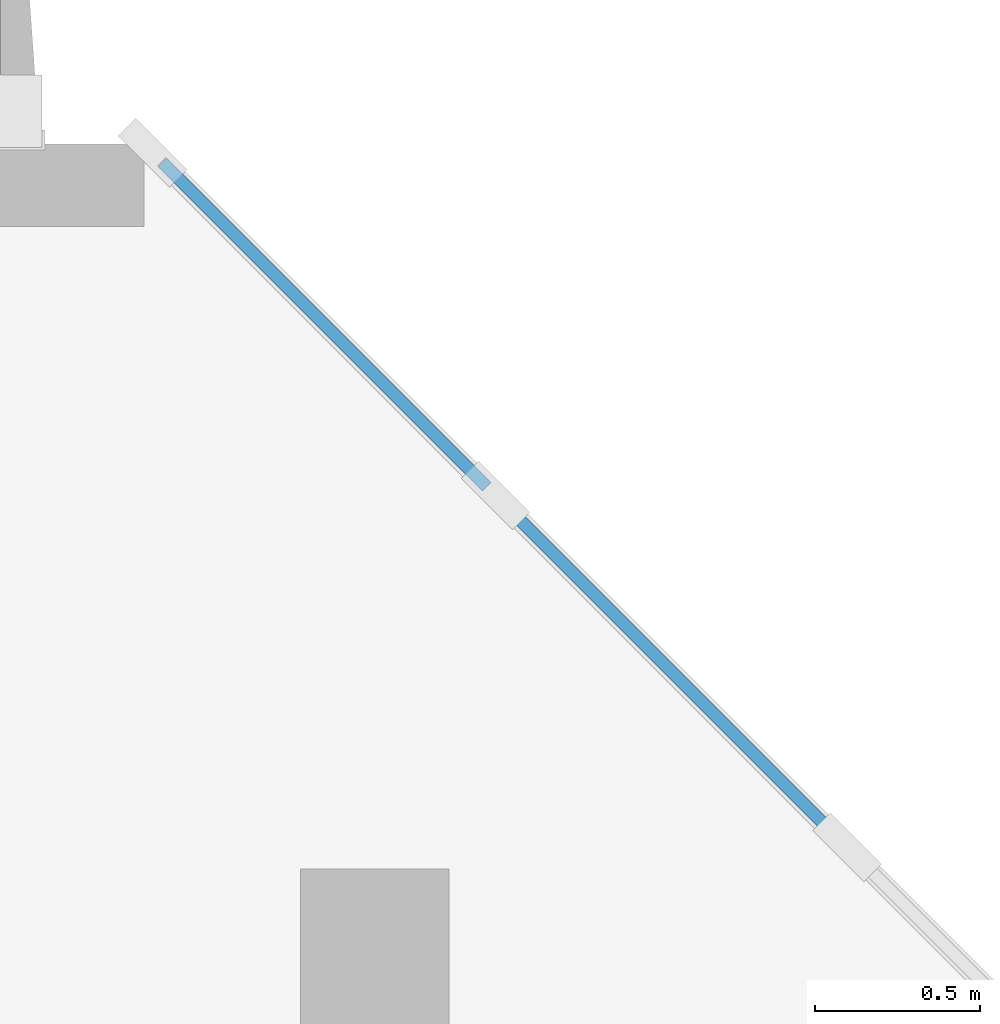
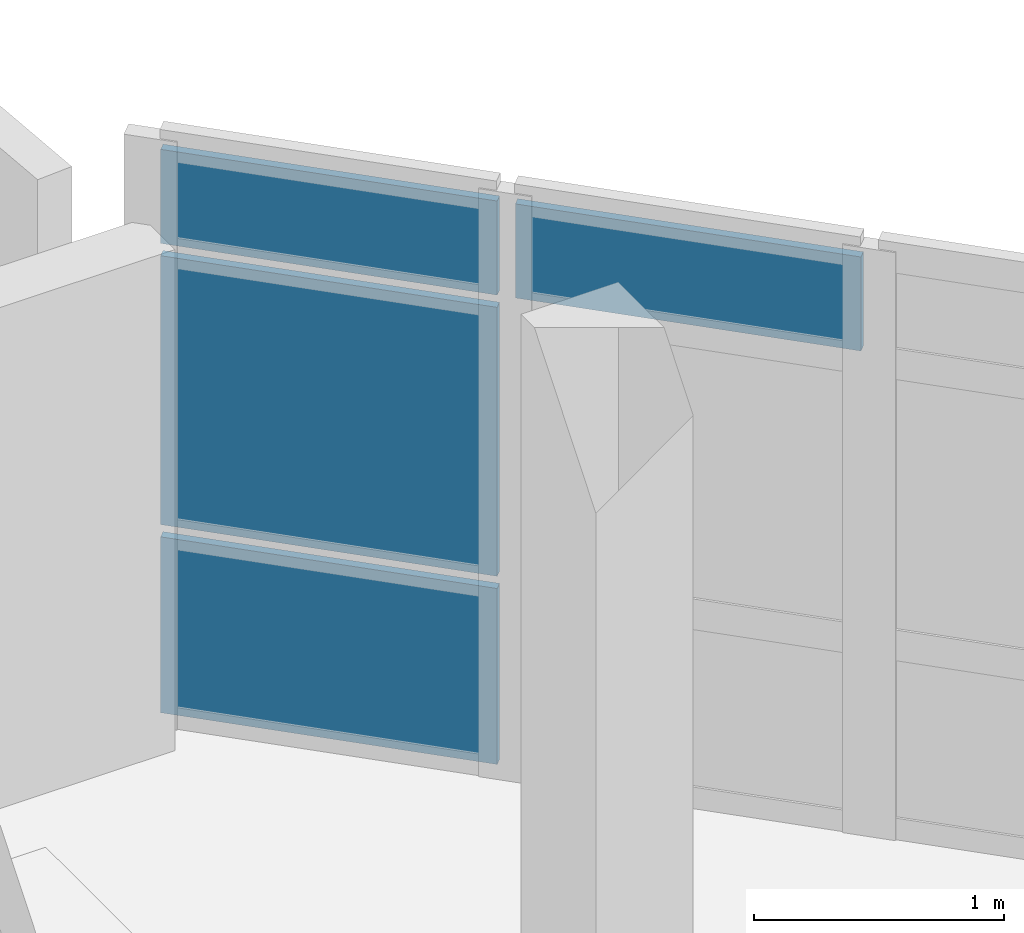
# One storey, part 15 of 43: 4 plates, 1 element without a shape of its own.
"""IFC4 building model written with IfcOpenShell, lengths in metres."""

import ifcopenshell
import ifcopenshell.guid

model = None  # the IFC model being written
_history = None  # IfcOwnerHistory: only IFC2X3 demands one
_inside = {}  # id of a spatial element -> (the spatial element, [elements in it])
_under = {}  # id of a project, library or spatial element -> (it, [spatial elements below it])
_declared = {}  # id of a project -> (the project, [libraries it declares])
_typed = {}  # id of a type object -> (the type object, [elements of that type])
_made_of = {}  # id of a material, layer set ... -> (it, [elements and type objects made of it])


def new_model(schema):
    """Start an empty IFC model of exactly this schema.

    Asked for "IFC4X3", IfcOpenShell would pick the latest addendum, in which some entities
    have other attributes; the version numbers below select the first issue.
    IFC2X3 requires an IfcOwnerHistory on every rooted entity: one is made here for all.
    """
    global model, _history
    if schema == "IFC4X3":
        model = ifcopenshell.file(schema_version=(4, 3, 0, 0))
    else:
        model = ifcopenshell.file(schema=schema)
    _inside.clear()
    _under.clear()
    _declared.clear()
    _typed.clear()
    _made_of.clear()
    _history = None
    if model.schema == "IFC2X3":
        org = make("IfcOrganization", Name="unknown")
        user = make(
            "IfcPersonAndOrganization",
            ThePerson=make("IfcPerson", FamilyName="unknown"),
            TheOrganization=org,
        )
        app = make(
            "IfcApplication",
            ApplicationDeveloper=org,
            Version="unknown",
            ApplicationFullName="unknown",
            ApplicationIdentifier="unknown",
        )
        _history = make(
            "IfcOwnerHistory",
            OwningUser=user,
            OwningApplication=app,
            ChangeAction="ADDED",
            CreationDate=0,
        )
    return model


def make(cls, **values):
    """One entity of the class cls with the attributes given. An attribute that is None is left unset."""
    return model.create_entity(
        cls, **{name: value for name, value in values.items() if value is not None}
    )


def rooted(cls, **values):
    """An entity with a GlobalId (a new one), such as an element, a storey or a relation."""
    return make(cls, GlobalId=ifcopenshell.guid.new(), OwnerHistory=_history, **values)


def si_unit(unit_type, name, prefix=None):
    """IfcSIUnit, for example si_unit("LENGTHUNIT", "METRE", prefix="MILLI")."""
    return make("IfcSIUnit", UnitType=unit_type, Prefix=prefix, Name=name)


def assignment(units):
    """IfcUnitAssignment: the units of a project."""
    return None if units is None else make("IfcUnitAssignment", Units=units)


def point(xyz):
    """IfcCartesianPoint."""
    return None if xyz is None else make("IfcCartesianPoint", Coordinates=xyz)


def direction(xyz):
    """IfcDirection."""
    return None if xyz is None else make("IfcDirection", DirectionRatios=xyz)


def frame(location, z_axis=None, x_axis=None):
    """IfcAxis2Placement3D, a coordinate frame: its origin and axes. An axis left out is left unset."""
    return make(
        "IfcAxis2Placement3D",
        Location=point(location),
        Axis=direction(z_axis),
        RefDirection=direction(x_axis),
    )


def frame_2d(location, x_axis=None):
    """IfcAxis2Placement2D, a coordinate frame in the plane: its origin and x axis."""
    return make(
        "IfcAxis2Placement2D", Location=point(location), RefDirection=direction(x_axis)
    )


def origin():
    """The frame at (0, 0, 0) with its axes left unset."""
    return frame((0.0, 0.0, 0.0))


def origin_2d():
    """The frame at (0, 0) in the plane with its x axis left unset."""
    return frame_2d((0.0, 0.0))


def place(relative_to, where):
    """IfcLocalPlacement: puts the frame where relative to a parent placement (None: the world)."""
    return make(
        "IfcLocalPlacement", PlacementRelTo=relative_to, RelativePlacement=where
    )


def context(
    kind, dimensions, precision=None, world=None, true_north=None, identifier=None
):
    """IfcGeometricRepresentationContext, for example the 3D "Model" context."""
    return make(
        "IfcGeometricRepresentationContext",
        ContextIdentifier=identifier,
        ContextType=kind,
        CoordinateSpaceDimension=dimensions,
        Precision=precision,
        WorldCoordinateSystem=world,
        TrueNorth=true_north,
    )


def subcontext(parent, identifier, kind, view, scale=None):
    """IfcGeometricRepresentationSubContext, for example "Body" below "Model"."""
    return make(
        "IfcGeometricRepresentationSubContext",
        ContextIdentifier=identifier,
        ContextType=kind,
        ParentContext=parent,
        TargetScale=scale,
        TargetView=view,
    )


def project(units=None, contexts=None):
    """IfcProject with its units and contexts."""
    return rooted(
        "IfcProject",
        Name="project",
        RepresentationContexts=contexts,
        UnitsInContext=assignment(units),
    )


def spatial(cls, under=None, at=None, **own):
    """A site, building, storey or space (cls), placed at a placement, below another one or the project."""
    s = rooted(cls, ObjectPlacement=at, **own)
    if under is not None:
        _under.setdefault(under.id(), (under, []))[1].append(s)
    return s


def profile(cls, at=None, kind="AREA", **sizes):
    """A parametric profile (cls). Its sizes go by their IFC names, for example OverallWidth=200.0."""
    return make(cls, ProfileType=kind, Position=at, **sizes)


def rectangle(**sizes):
    """IfcRectangleProfileDef."""
    return profile("IfcRectangleProfileDef", **sizes)


def extrude(swept, where, along, depth):
    """IfcExtrudedAreaSolid: the profile swept, set in the frame where, extruded along a direction by depth."""
    return make(
        "IfcExtrudedAreaSolid",
        SweptArea=swept,
        Position=where,
        ExtrudedDirection=direction(along),
        Depth=depth,
    )


def shape(context_of_items, identifier, shape_type, items):
    """IfcShapeRepresentation: the items that make up one representation, for example the "Body"."""
    return make(
        "IfcShapeRepresentation",
        ContextOfItems=context_of_items,
        RepresentationIdentifier=identifier,
        RepresentationType=shape_type,
        Items=items,
    )


def material(Name=None, Category=None):
    """IfcMaterial."""
    return make("IfcMaterial", Name=Name, Category=Category)


def layer(
    of_material, thickness, ventilated=None, Name=None, Category=None, Priority=None
):
    """IfcMaterialLayer: one layer of a wall or slab, of a material (None: an air gap)."""
    return make(
        "IfcMaterialLayer",
        Material=of_material,
        LayerThickness=thickness,
        IsVentilated=ventilated,
        Name=Name,
        Category=Category,
        Priority=Priority,
    )


def layer_set(layers, Name=None):
    """IfcMaterialLayerSet."""
    return make("IfcMaterialLayerSet", MaterialLayers=layers, LayerSetName=Name)


def made_of(thing, what):
    """Note that an element or type object is made of a material, layer set ...; save() writes the relation."""
    if what is not None:
        _made_of.setdefault(what.id(), (what, []))[1].append(thing)
    return thing


def type_object(cls, material=None, **own):
    """A type object (cls), such as IfcWallType, which elements share."""
    return made_of(rooted(cls, **own), material)


def element(
    cls,
    number,
    at=None,
    inside=None,
    cuts=None,
    type_object=None,
    material=None,
    context=None,
    identifier="Body",
    shape_type=None,
    held_by="IfcProductDefinitionShape",
    body=None,
    shapes=None,
    **own,
):
    """One element of the class cls, such as IfcWall. Its Tag is "e" and its number.

    at: its placement. inside: the storey or other place that contains it. cuts: it is an
    opening in that element (IfcRelVoidsElement). A single representation is given by context,
    identifier, shape_type and body (its items); several are given by shapes. held_by: the class
    of the entity that holds the representations. save() writes the other relations.
    """
    e = rooted(cls, Tag="e%d" % number, ObjectPlacement=at, **own)
    if body is not None:
        shapes = [shape(context, identifier, shape_type, body)]
    if shapes is not None:
        e.Representation = make(held_by, Representations=shapes)
    if inside is not None:
        _inside.setdefault(inside.id(), (inside, []))[1].append(e)
    if cuts is not None:
        rooted(
            "IfcRelVoidsElement", RelatingBuildingElement=cuts, RelatedOpeningElement=e
        )
    if type_object is not None:
        _typed.setdefault(type_object.id(), (type_object, []))[1].append(e)
    return made_of(e, material)


def aggregate(whole, parts):
    """IfcRelAggregates: a whole, such as a stair, and the parts it consists of."""
    return rooted("IfcRelAggregates", RelatingObject=whole, RelatedObjects=parts)


def save(model, path):
    """Write the relations noted so far, then the file.

    IfcRelAggregates (storeys below a building ...), IfcRelContainedInSpatialStructure (elements
    in a storey), IfcRelDefinesByType, IfcRelAssociatesMaterial and IfcRelDeclares: one each for
    every whole, place, type object, material and project.
    """
    for whole, parts in _under.values():
        aggregate(whole, parts)
    for where, things in _inside.values():
        rooted(
            "IfcRelContainedInSpatialStructure",
            RelatedElements=things,
            RelatingStructure=where,
        )
    for kind, things in _typed.values():
        rooted("IfcRelDefinesByType", RelatedObjects=things, RelatingType=kind)
    for what, things in _made_of.values():
        rooted("IfcRelAssociatesMaterial", RelatedObjects=things, RelatingMaterial=what)
    for by, libraries in _declared.values():
        rooted("IfcRelDeclares", RelatingContext=by, RelatedDefinitions=libraries)
    model.write(path)


model = new_model("IFC4")

# Units and contexts
model_context = context("Model", 3, precision=1e-05, world=origin(), true_north=direction((0.0, 1.0)))
body_context = subcontext(model_context, "Body", "Model", "MODEL_VIEW")
ifc_project = project(units=[si_unit("LENGTHUNIT", "METRE"), si_unit("AREAUNIT", "SQUARE_METRE"), si_unit("VOLUMEUNIT", "CUBIC_METRE"), si_unit("PLANEANGLEUNIT", "RADIAN"), si_unit("MASSUNIT", "GRAM", prefix="KILO")], contexts=[model_context])

# Site, building, storey
site_placement = place(None, origin())
site = spatial("IfcSite", under=ifc_project, at=site_placement, CompositionType="ELEMENT")
building_placement = place(site_placement, origin())
building = spatial("IfcBuilding", under=site, at=building_placement, Name="Ochrevale Crest", CompositionType="ELEMENT")
storey_placement = place(building_placement, frame((0.0, 0.0, 30.75)))
storey = spatial("IfcBuildingStorey", under=building, at=storey_placement, Name="L09", CompositionType="ELEMENT", Elevation=30.75)

# Curtain wall, plates
ifc_material_1 = material(Name="Anodised aluminium 6063-T5", Category="aluminium")
ifc_layer_1 = layer(ifc_material_1, 0.14990234375)
ifc_layer_set_1 = layer_set([ifc_layer_1], Name="Anodised aluminium 6063-T5")
curtain_wall_type = type_object("IfcCurtainWallType", Name="CW-WG-360x285", PredefinedType="NOTDEFINED", material=ifc_layer_set_1)
curtain_wall_placement = place(storey_placement, origin())
curtain_wall = element("IfcCurtainWall", 1, at=curtain_wall_placement, inside=storey, type_object=curtain_wall_type, Name="Block B L09 chamfered corner wintergarden curtain wall 4", PredefinedType="NOTDEFINED")
ifc_material_2 = material(Name="Acoustic laminated low-E insulated glass unit", Category="glass")
ifc_layer_2 = layer(ifc_material_2, 0.0380859375)
ifc_layer_set_2 = layer_set([ifc_layer_2], Name="Acoustic laminated low-E insulated glass unit")
plate_type = type_object("IfcPlateType", Name="CW-PNL-IGU38", PredefinedType="CURTAIN_PANEL", material=ifc_layer_set_2)
plate_1_placement = place(storey_placement, frame((34.39990234375, 92.0, 2.35498046875), z_axis=(0.0, 0.0, 1.0), x_axis=(-0.707106781187, 0.707106781187, 0.0)))
plate_1 = element("IfcPlate", 2, at=plate_1_placement, type_object=plate_type, Name="CW18 panel 2.3", PredefinedType="CURTAIN_PANEL", context=body_context, shape_type="SweptSolid", body=[
    extrude(rectangle(XDim=1.43359375, YDim=0.0380859375, at=origin_2d()), origin(), (0.0, 0.0, 1.0), 0.4599609375),
])
plate_2_placement = place(storey_placement, frame((33.3466796875, 93.053466796875, 0.06005859375), z_axis=(0.0, 0.0, 1.0), x_axis=(-0.707106781187, 0.707106781187, 0.0)))
plate_2 = element("IfcPlate", 3, at=plate_2_placement, type_object=plate_type, Name="CW18 panel 3.1", PredefinedType="CURTAIN_PANEL", context=body_context, shape_type="SweptSolid", body=[
    extrude(rectangle(XDim=1.39599609375, YDim=0.0380859375, at=origin_2d()), origin(), (0.0, 0.0, 1.0), 0.860107421875),
])
plate_3_placement = place(storey_placement, frame((33.3466796875, 93.053466796875, 0.97998046875), z_axis=(0.0, 0.0, 1.0), x_axis=(-0.707106781187, 0.707106781187, 0.0)))
plate_3 = element("IfcPlate", 4, at=plate_3_placement, type_object=plate_type, Name="CW18 panel 3.2", PredefinedType="CURTAIN_PANEL", context=body_context, shape_type="SweptSolid", body=[
    extrude(rectangle(XDim=1.39599609375, YDim=0.0380859375, at=origin_2d()), origin(), (0.0, 0.0, 1.0), 1.31494140625),
])
plate_4_placement = place(storey_placement, frame((33.3466796875, 93.053466796875, 2.35498046875), z_axis=(0.0, 0.0, 1.0), x_axis=(-0.707106781187, 0.707106781187, 0.0)))
plate_4 = element("IfcPlate", 5, at=plate_4_placement, type_object=plate_type, Name="CW18 panel 3.3", PredefinedType="CURTAIN_PANEL", context=body_context, shape_type="SweptSolid", body=[
    extrude(rectangle(XDim=1.39599609375, YDim=0.0380859375, at=origin_2d()), origin(), (0.0, 0.0, 1.0), 0.4599609375),
])
aggregate(curtain_wall, [plate_1, plate_2, plate_3, plate_4])

save(model, "model.ifc")
